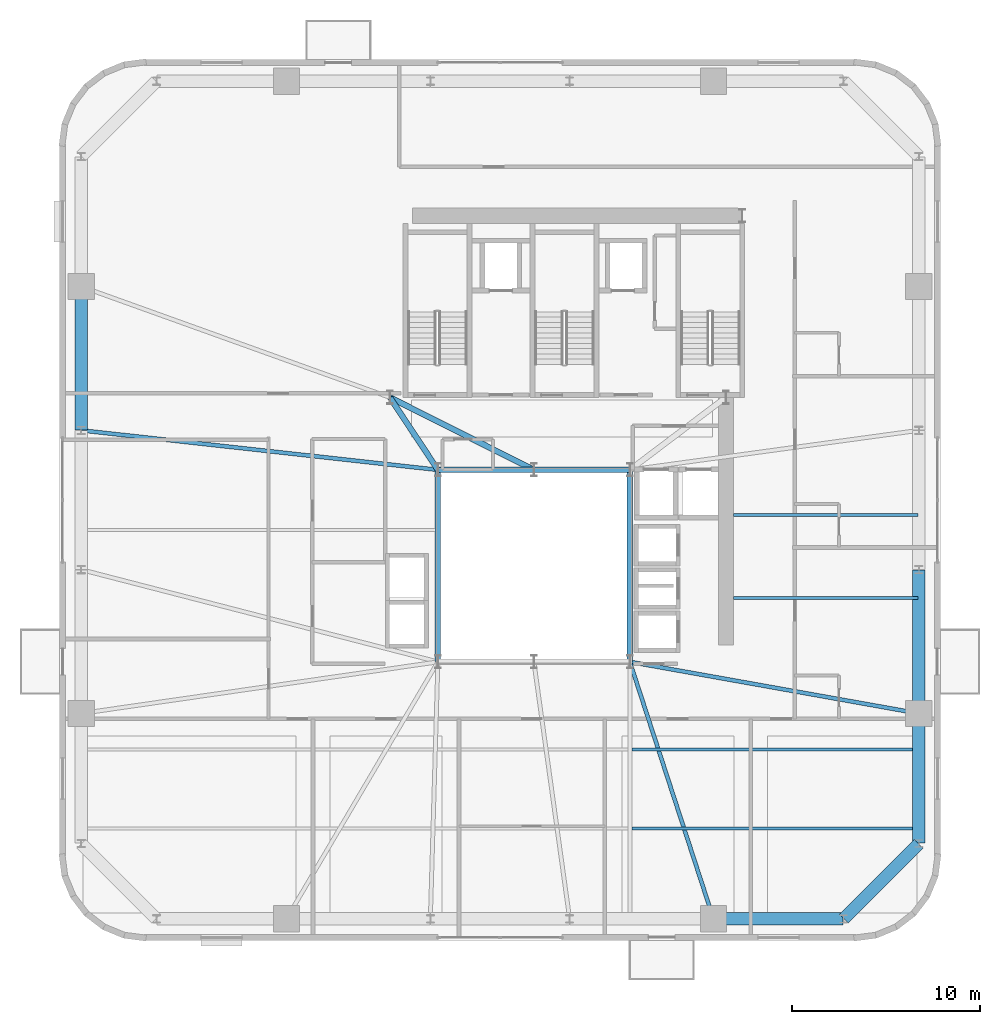
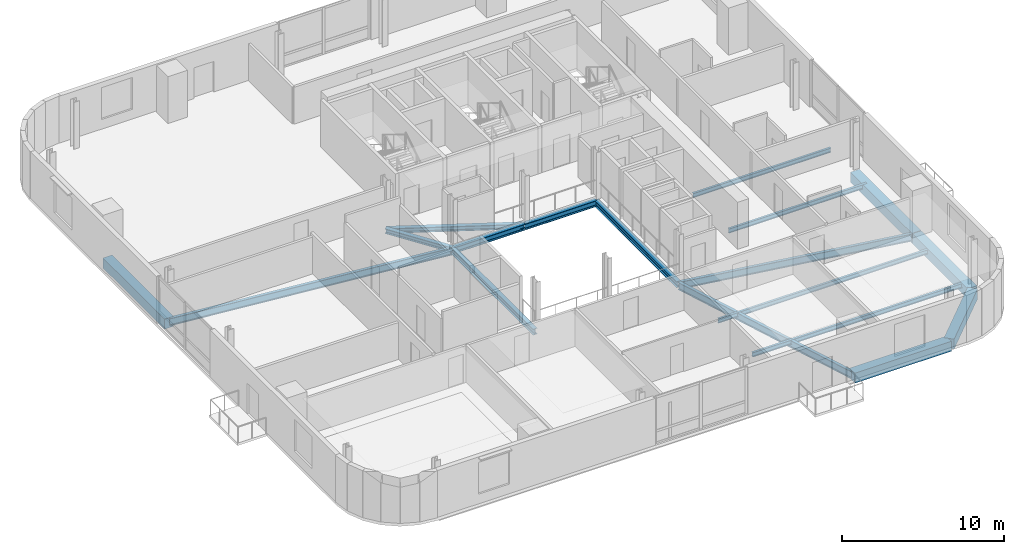
# One storey, part 4 of 16: 18 beams.
"""IFC4 building model written with IfcOpenShell, lengths in metres."""

from ifc_helpers import new_model, si_unit, direction, frame, origin, origin_2d, place, context, subcontext, project, spatial, rectangle, i_section, extrude, source, transform, mapped, material, material_profile, profile_set, type_object, element, save


model = new_model("IFC4")

# Units and contexts
model_context = context("Model", 3, precision=1e-05, world=origin(), true_north=direction((0.0, 1.0)))
body_context = subcontext(model_context, "Body", "Model", "MODEL_VIEW")
ifc_project = project(units=[si_unit("LENGTHUNIT", "METRE"), si_unit("AREAUNIT", "SQUARE_METRE"), si_unit("VOLUMEUNIT", "CUBIC_METRE"), si_unit("PLANEANGLEUNIT", "RADIAN"), si_unit("MASSUNIT", "GRAM", prefix="KILO")], contexts=[model_context])

# Site, building, storey
site_placement = place(None, origin())
site = spatial("IfcSite", under=ifc_project, at=site_placement, CompositionType="ELEMENT")
building_placement = place(site_placement, origin())
building = spatial("IfcBuilding", under=site, at=building_placement, Name="Vardaveli Station Tower", CompositionType="ELEMENT")
storey_placement = place(building_placement, frame((0.0, 0.0, 192.300048828125)))
storey = spatial("IfcBuildingStorey", under=building, at=storey_placement, Name="L49", CompositionType="ELEMENT", Elevation=192.300048828125)

# Beams
ifc_material_1 = material(Name="Structural steel S355J2", Category="steel")
ifc_material_profile_1 = material_profile(ifc_material_1, i_section(OverallWidth=0.300048828125, OverallDepth=0.449951171875, WebThickness=0.013916015625, FlangeThickness=0.02587890625, FilletRadius=0.027099609375, at=origin_2d()), Name="HEB 450")
ifc_profile_set_1 = profile_set([ifc_material_profile_1], Name="Structural steel S355J2")
beam_type_1 = type_object("IfcBeamType", Name="BM-HEB450", PredefinedType="BEAM", material=ifc_profile_set_1)
shared_shape_1 = source(origin(), body_context, "Body", "SweptSolid", [
    extrude(i_section(OverallWidth=0.300048828125, OverallDepth=0.449951171875, WebThickness=0.013916015625, FlangeThickness=0.02587890625, FilletRadius=0.027099609375, at=origin_2d()), origin(), (0.0, 0.0, 1.0), 5.06005859375),
])
beam_1_placement = place(storey_placement, frame((36.280029296875, 26.800048828125, -0.445068359375), z_axis=(-1.0, 0.0, 0.0), x_axis=(0.0, -1.0, 0.0)))
element("IfcBeam", 1, at=beam_1_placement, inside=storey, type_object=beam_type_1, Name="ABM-L49-05", PredefinedType="BEAM", context=body_context, shape_type="MappedRepresentation", body=[
    mapped(shared_shape_1, transform((0.0, 0.0, 0.0), scale=1.0)),
])
shared_shape_2 = source(origin(), body_context, "Body", "SweptSolid", [
    extrude(i_section(OverallWidth=0.300048828125, OverallDepth=0.449951171875, WebThickness=0.013916015625, FlangeThickness=0.02587890625, FilletRadius=0.027099609375, at=origin_2d()), origin(), (0.0, 0.0, 1.0), 5.059814453125),
])
beam_2_placement = place(storey_placement, frame((41.3798828125, 26.800048828125, -0.445068359375), z_axis=(-1.0, 0.0, 0.0), x_axis=(0.0, -1.0, 0.0)))
element("IfcBeam", 2, at=beam_2_placement, inside=storey, type_object=beam_type_1, Name="ABM-L49-04", PredefinedType="BEAM", context=body_context, shape_type="MappedRepresentation", body=[
    mapped(shared_shape_2, transform((0.0, 0.0, 0.0), scale=1.0)),
])
shared_shape_3 = source(origin(), body_context, "Body", "SweptSolid", [
    extrude(i_section(OverallWidth=0.300048828125, OverallDepth=0.449951171875, WebThickness=0.013916015625, FlangeThickness=0.02587890625, FilletRadius=0.027099609375, at=origin_2d()), origin(), (0.0, 0.0, 1.0), 10.159912109375),
])
for number, where, z_axis, x_axis, name in (
    (3, (41.39990234375, 16.6201171875, -0.445068359375), (0.0, 1.0, 0.0), (-1.0, 0.0, 0.0), "ABM-L49-03"),
    (4, (31.199951171875, 26.780029296875, -0.445068359375), (0.0, -1.0, 0.0), (1.0, 0.0, 0.0), "ABM-L49-06"),
):
    element("IfcBeam", number, at=place(storey_placement, frame(where, z_axis=z_axis, x_axis=x_axis)), inside=storey, type_object=beam_type_1, Name=name, PredefinedType="BEAM", context=body_context, shape_type="MappedRepresentation", body=[
        mapped(shared_shape_3, transform((0.0, 0.0, 0.0), scale=1.0)),
    ])
ifc_material_profile_2 = material_profile(ifc_material_1, i_section(OverallWidth=0.300048828125, OverallDepth=0.360107421875, WebThickness=0.012451171875, FlangeThickness=0.0224609375, FilletRadius=0.027099609375, at=origin_2d()), Name="HEB 360")
ifc_profile_set_2 = profile_set([ifc_material_profile_2], Name="Structural steel S355J2")
beam_type_2 = type_object("IfcBeamType", Name="BM-HEB360", PredefinedType="BEAM", material=ifc_profile_set_2)
shared_shape_4 = source(origin(), body_context, "Body", "SweptSolid", [
    extrude(i_section(OverallWidth=0.300048828125, OverallDepth=0.360107421875, WebThickness=0.012451171875, FlangeThickness=0.0224609375, FilletRadius=0.027099609375, at=origin_2d()), origin(), (0.0, 0.0, 1.0), 4.577880859375),
])
beam_3_placement = place(storey_placement, frame((31.18896484375, 26.816650390625, -0.400146484375), z_axis=(-0.55218702139, 0.833720272879, 0.0), x_axis=(-0.833720272879, -0.55218702139, 0.0)))
element("IfcBeam", 5, at=beam_3_placement, inside=storey, type_object=beam_type_2, Name="CBM-L49-01", PredefinedType="BEAM", context=body_context, shape_type="MappedRepresentation", body=[
    mapped(shared_shape_4, transform((0.0, 0.0, 0.0), scale=1.0)),
])
shared_shape_5 = source(origin(), body_context, "Body", "SweptSolid", [
    extrude(i_section(OverallWidth=0.300048828125, OverallDepth=0.360107421875, WebThickness=0.012451171875, FlangeThickness=0.0224609375, FilletRadius=0.027099609375, at=origin_2d()), origin(), (0.0, 0.0, 1.0), 8.524169921875),
])
beam_4_placement = place(storey_placement, frame((28.66796875, 30.64111328125, -0.400146484375), z_axis=(0.893255584708, -0.449549174605, 0.0), x_axis=(0.449549174605, 0.893255584708, 0.0)))
element("IfcBeam", 6, at=beam_4_placement, inside=storey, type_object=beam_type_2, Name="CBM-L49-03", PredefinedType="BEAM", context=body_context, shape_type="MappedRepresentation", body=[
    mapped(shared_shape_5, transform((0.0, 0.0, 0.0), scale=1.0)),
])
ifc_material_2 = material(Name="Precast concrete C45/55", Category="concrete")
ifc_material_profile_3 = material_profile(ifc_material_2, rectangle(XDim=0.64990234375, YDim=0.75, at=origin_2d()), Name="LPB 650x750")
ifc_profile_set_3 = profile_set([ifc_material_profile_3], Name="Precast concrete C45/55")
beam_type_3 = type_object("IfcBeamType", Name="BM-LPB-750", PredefinedType="BEAM", material=ifc_profile_set_3)
shared_shape_6 = source(origin(), body_context, "Body", "SweptSolid", [
    extrude(rectangle(XDim=0.64990234375, YDim=0.75, at=origin_2d()), origin(), (0.0, 0.0, 1.0), 7.60009765625),
])
for number, where, z_axis, x_axis, name in (
    (7, (56.75, 13.8798828125, -0.594970703125), (0.0, 1.0, 0.0), (-1.0, 0.0, 0.0), "RBM-L49-07"),
    (8, (12.25, 36.52001953125, -0.594970703125), (0.0, -1.0, 0.0), (1.0, 0.0, 0.0), "RBM-L49-19"),
):
    element("IfcBeam", number, at=place(storey_placement, frame(where, z_axis=z_axis, x_axis=x_axis)), inside=storey, type_object=beam_type_3, Name=name, PredefinedType="BEAM", context=body_context, shape_type="MappedRepresentation", body=[
        mapped(shared_shape_6, transform((0.0, 0.0, 0.0), scale=1.0)),
    ])
shared_shape_7 = source(origin(), body_context, "Body", "SweptSolid", [
    extrude(rectangle(XDim=0.64990234375, YDim=0.75, at=origin_2d()), origin(), (0.0, 0.0, 1.0), 6.869873046875),
])
beam_5_placement = place(storey_placement, frame((45.860107421875, 2.949951171875, -0.594970703125), z_axis=(1.0, 0.0, 0.0), x_axis=(0.0, 1.0, 0.0)))
element("IfcBeam", 9, at=beam_5_placement, inside=storey, type_object=beam_type_3, Name="RBM-L49-04", PredefinedType="BEAM", context=body_context, shape_type="MappedRepresentation", body=[
    mapped(shared_shape_7, transform((0.0, 0.0, 0.0), scale=1.0)),
])
shared_shape_8 = source(origin(), body_context, "Body", "SweptSolid", [
    extrude(rectangle(XDim=0.64990234375, YDim=0.75, at=origin_2d()), origin(), (0.0, 0.0, 1.0), 5.61669921875),
])
beam_6_placement = place(storey_placement, frame((52.76416015625, 2.964111328125, -0.594970703125), z_axis=(0.707106781187, 0.707106781187, 0.0), x_axis=(-0.707106781187, 0.707106781187, 0.0)))
element("IfcBeam", 10, at=beam_6_placement, inside=storey, type_object=beam_type_3, Name="RBM-L49-05", PredefinedType="BEAM", context=body_context, shape_type="MappedRepresentation", body=[
    mapped(shared_shape_8, transform((0.0, 0.0, 0.0), scale=1.0)),
])
shared_shape_9 = source(origin(), body_context, "Body", "SweptSolid", [
    extrude(rectangle(XDim=0.64990234375, YDim=0.75, at=origin_2d()), origin(), (0.0, 0.0, 1.0), 6.8701171875),
])
beam_7_placement = place(storey_placement, frame((56.75, 6.969970703125, -0.594970703125), z_axis=(0.0, 1.0, 0.0), x_axis=(-1.0, 0.0, 0.0)))
element("IfcBeam", 11, at=beam_7_placement, inside=storey, type_object=beam_type_3, Name="RBM-L49-06", PredefinedType="BEAM", context=body_context, shape_type="MappedRepresentation", body=[
    mapped(shared_shape_9, transform((0.0, 0.0, 0.0), scale=1.0)),
])
ifc_material_profile_4 = material_profile(ifc_material_1, i_section(OverallWidth=0.159912109375, OverallDepth=0.330078125, WebThickness=0.007568359375, FlangeThickness=0.011474609375, FilletRadius=0.01806640625, at=origin_2d()), Name="IPE 330")
ifc_profile_set_4 = profile_set([ifc_material_profile_4], Name="Structural steel S355J2")
beam_type_4 = type_object("IfcBeamType", Name="BM-IPE330", PredefinedType="JOIST", material=ifc_profile_set_4)
shared_shape_10 = source(origin(), body_context, "Body", "SweptSolid", [
    extrude(i_section(OverallWidth=0.159912109375, OverallDepth=0.330078125, WebThickness=0.007568359375, FlangeThickness=0.011474609375, FilletRadius=0.01806640625, at=origin_2d()), origin(), (0.0, 0.0, 1.0), 15.197998046875),
])
for number, where, z_axis, x_axis, name in (
    (12, (41.511962890625, 7.75, -0.385009765625), (1.0, 0.0, 0.0), (0.0, 1.0, 0.0), "SJ-L49-S02"),
    (13, (41.511962890625, 11.949951171875, -0.385009765625), (1.0, 0.0, 0.0), (0.0, 1.0, 0.0), "SJ-L49-S04"),
):
    element("IfcBeam", number, at=place(storey_placement, frame(where, z_axis=z_axis, x_axis=x_axis)), inside=storey, type_object=beam_type_4, Name=name, PredefinedType="JOIST", context=body_context, shape_type="MappedRepresentation", body=[
        mapped(shared_shape_10, transform((0.0, 0.0, 0.0), scale=1.0)),
    ])
shared_shape_11 = source(origin(), body_context, "Body", "SweptSolid", [
    extrude(i_section(OverallWidth=0.159912109375, OverallDepth=0.330078125, WebThickness=0.007568359375, FlangeThickness=0.011474609375, FilletRadius=0.01806640625, at=origin_2d()), origin(), (0.0, 0.0, 1.0), 9.804931640625),
])
for number, where, z_axis, x_axis, name in (
    (14, (46.905029296875, 20.0, -0.385009765625), (1.0, 0.0, 0.0), (0.0, 1.0, 0.0), "SJ-L49-E07"),
    (15, (46.905029296875, 24.39990234375, -0.385009765625), (1.0, 0.0, 0.0), (0.0, 1.0, 0.0), "SJ-L49-E08"),
):
    element("IfcBeam", number, at=place(storey_placement, frame(where, z_axis=z_axis, x_axis=x_axis)), inside=storey, type_object=beam_type_4, Name=name, PredefinedType="JOIST", context=body_context, shape_type="MappedRepresentation", body=[
        mapped(shared_shape_11, transform((0.0, 0.0, 0.0), scale=1.0)),
    ])
ifc_material_profile_5 = material_profile(ifc_material_1, i_section(OverallWidth=0.2099609375, OverallDepth=0.550048828125, WebThickness=0.010986328125, FlangeThickness=0.01708984375, FilletRadius=0.02392578125, at=origin_2d()), Name="IPE 550")
ifc_profile_set_5 = profile_set([ifc_material_profile_5], Name="Structural steel S355J2")
beam_type_5 = type_object("IfcBeamType", Name="BM-IPE550", PredefinedType="BEAM", material=ifc_profile_set_5)
shared_shape_12 = source(origin(), body_context, "Body", "SweptSolid", [
    extrude(i_section(OverallWidth=0.2099609375, OverallDepth=0.550048828125, WebThickness=0.010986328125, FlangeThickness=0.01708984375, FilletRadius=0.02392578125, at=origin_2d()), origin(), (0.0, 0.0, 1.0), 14.31396484375),
])
beam_8_placement = place(storey_placement, frame((45.833740234375, 2.968994140625, -0.4951171875), z_axis=(-0.309311678023, 0.950960717295, 0.0), x_axis=(-0.950960717295, -0.309311678023, 0.0)))
element("IfcBeam", 16, at=beam_8_placement, inside=storey, type_object=beam_type_5, Name="GBM-L49-04", PredefinedType="BEAM", context=body_context, shape_type="MappedRepresentation", body=[
    mapped(shared_shape_12, transform((0.0, 0.0, 0.0), scale=1.0)),
])
shared_shape_13 = source(origin(), body_context, "Body", "SweptSolid", [
    extrude(i_section(OverallWidth=0.2099609375, OverallDepth=0.550048828125, WebThickness=0.010986328125, FlangeThickness=0.01708984375, FilletRadius=0.02392578125, at=origin_2d()), origin(), (0.0, 0.0, 1.0), 15.552490234375),
])
beam_9_placement = place(storey_placement, frame((56.730224609375, 13.863525390625, -0.4951171875), z_axis=(-0.984439991578, 0.1757210943, 0.0), x_axis=(-0.1757210943, -0.984439991578, 0.0)))
element("IfcBeam", 17, at=beam_9_placement, inside=storey, type_object=beam_type_5, Name="GBM-L49-05", PredefinedType="BEAM", context=body_context, shape_type="MappedRepresentation", body=[
    mapped(shared_shape_13, transform((0.0, 0.0, 0.0), scale=1.0)),
])
shared_shape_14 = source(origin(), body_context, "Body", "SweptSolid", [
    extrude(i_section(OverallWidth=0.2099609375, OverallDepth=0.550048828125, WebThickness=0.010986328125, FlangeThickness=0.01708984375, FilletRadius=0.02392578125, at=origin_2d()), origin(), (0.0, 0.0, 1.0), 19.026123046875),
])
beam_10_placement = place(storey_placement, frame((12.269775390625, 28.897705078125, -0.4951171875), z_axis=(0.993916552721, -0.110135762707, 0.0), x_axis=(0.110135762707, 0.993916552721, 0.0)))
element("IfcBeam", 18, at=beam_10_placement, inside=storey, type_object=beam_type_5, Name="GBM-L49-08", PredefinedType="BEAM", context=body_context, shape_type="MappedRepresentation", body=[
    mapped(shared_shape_14, transform((0.0, 0.0, 0.0), scale=1.0)),
])

save(model, "model.ifc")
